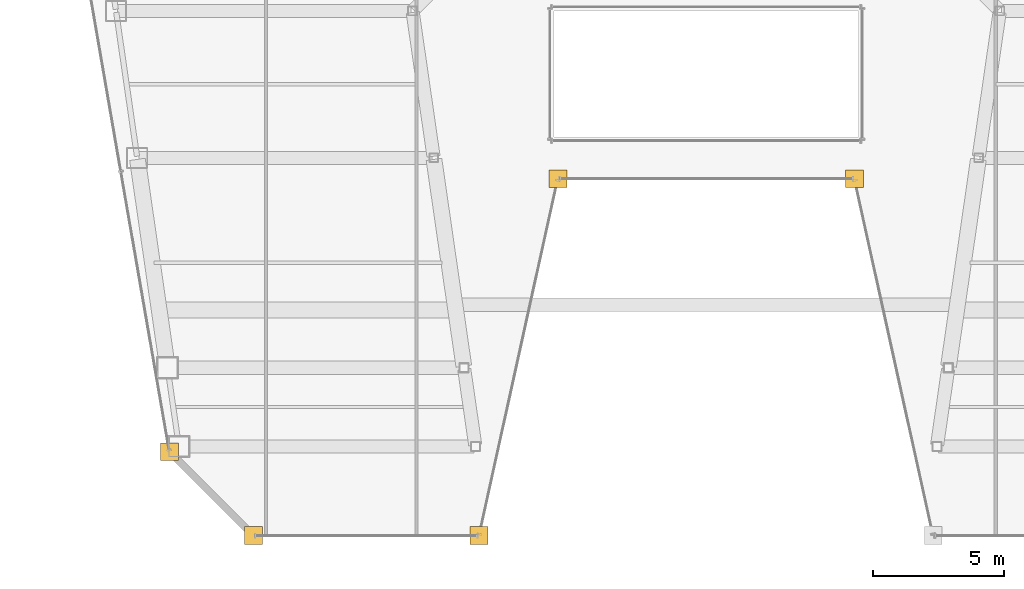
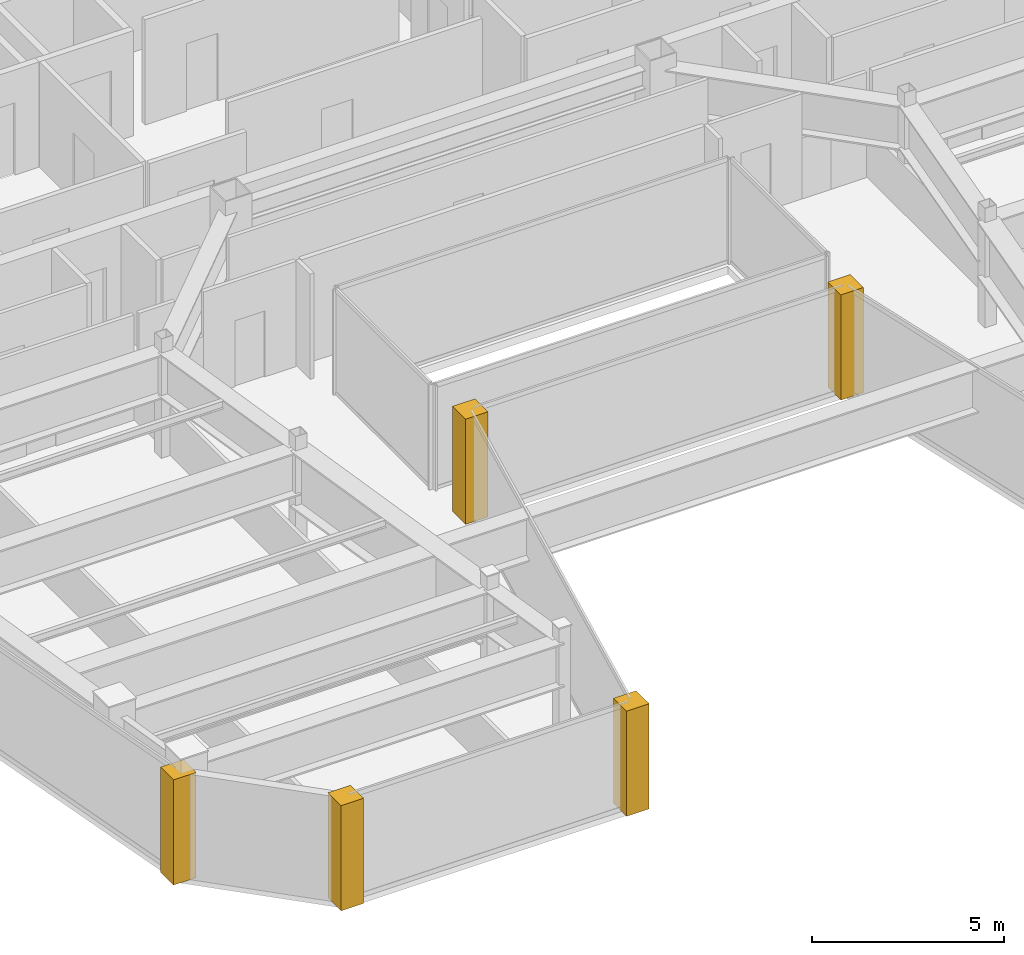
# One storey, part 32 of 35: 5 coverings.
"""IFC4 building model written with IfcOpenShell, lengths in metres."""

from ifc_helpers import new_model, si_unit, direction, frame, origin, place, context, subcontext, project, spatial, polyline, outline, extrude, material, layer, layer_set, type_object, element, save


model = new_model("IFC4")

# Units and contexts
model_context = context("Model", 3, precision=1e-05, world=origin(), true_north=direction((0.0, 1.0)))
body_context = subcontext(model_context, "Body", "Model", "MODEL_VIEW")
ifc_project = project(units=[si_unit("LENGTHUNIT", "METRE"), si_unit("AREAUNIT", "SQUARE_METRE"), si_unit("VOLUMEUNIT", "CUBIC_METRE"), si_unit("PLANEANGLEUNIT", "RADIAN"), si_unit("MASSUNIT", "GRAM", prefix="KILO")], contexts=[model_context])

# Site, building, storey
site_placement = place(None, origin())
site = spatial("IfcSite", under=ifc_project, at=site_placement, CompositionType="ELEMENT")
building_placement = place(site_placement, origin())
building = spatial("IfcBuilding", under=site, at=building_placement, Name="Saevonmaru Cultural Tower", CompositionType="ELEMENT")
storey_placement = place(building_placement, frame((0.0, 0.0, 249.60009765625)))
storey = spatial("IfcBuildingStorey", under=building, at=storey_placement, Name="L58", CompositionType="ELEMENT", Elevation=249.60009765625)

# Coverings
ifc_material = material(Name="Satin Bronze Anodised Aluminium", Category="aluminium")
ifc_layer = layer(ifc_material, 0.679931640625, Name="Satin Bronze Anodised Aluminium")
ifc_layer_set = layer_set([ifc_layer], Name="Satin Bronze Anodised Aluminium")
covering_type = type_object("IfcCoveringType", Name="CV-CORNER-CLAD", PredefinedType="CLADDING", material=ifc_layer_set)
covering_1_placement = place(storey_placement, origin())
element("IfcCovering", 1, at=covering_1_placement, inside=storey, type_object=covering_type, Name="L58 Tower Bronze Corner Cladding Pier 1", PredefinedType="CLADDING", context=body_context, shape_type="SweptSolid", body=[
    extrude(outline(polyline([(9.20703125, 20.4599609375), (9.886962890625, 20.4599609375), (9.886962890625, 21.139892578125), (9.20703125, 21.139892578125), (9.20703125, 20.4599609375)])), origin(), (0.0, 0.0, 1.0), 3.349853515625),
])
covering_2_placement = place(storey_placement, origin())
element("IfcCovering", 2, at=covering_2_placement, inside=storey, type_object=covering_type, Name="L58 Tower Bronze Corner Cladding Pier 2", PredefinedType="CLADDING", context=body_context, shape_type="SweptSolid", body=[
    extrude(outline(polyline([(12.406982421875, 17.260009765625), (13.0869140625, 17.260009765625), (13.0869140625, 17.93994140625), (12.406982421875, 17.93994140625), (12.406982421875, 17.260009765625)])), origin(), (0.0, 0.0, 1.0), 3.349853515625),
])
covering_3_placement = place(storey_placement, origin())
element("IfcCovering", 3, at=covering_3_placement, inside=storey, type_object=covering_type, Name="L58 Tower Bronze Corner Cladding Pier 3", PredefinedType="CLADDING", context=body_context, shape_type="SweptSolid", body=[
    extrude(outline(polyline([(21.007080078125, 17.260009765625), (21.68701171875, 17.260009765625), (21.68701171875, 17.93994140625), (21.007080078125, 17.93994140625), (21.007080078125, 17.260009765625)])), origin(), (0.0, 0.0, 1.0), 3.349853515625),
])
covering_4_placement = place(storey_placement, origin())
element("IfcCovering", 4, at=covering_4_placement, inside=storey, type_object=covering_type, Name="L58 Tower Bronze Corner Cladding Pier 4", PredefinedType="CLADDING", context=body_context, shape_type="SweptSolid", body=[
    extrude(outline(polyline([(24.007080078125, 30.860107421875), (24.68701171875, 30.860107421875), (24.68701171875, 31.5400390625), (24.007080078125, 31.5400390625), (24.007080078125, 30.860107421875)])), origin(), (0.0, 0.0, 1.0), 3.349853515625),
])
covering_5_placement = place(storey_placement, origin())
element("IfcCovering", 5, at=covering_5_placement, inside=storey, type_object=covering_type, Name="L58 Tower Bronze Corner Cladding Pier 5", PredefinedType="CLADDING", context=body_context, shape_type="SweptSolid", body=[
    extrude(outline(polyline([(35.31298828125, 30.860107421875), (35.992919921875, 30.860107421875), (35.992919921875, 31.5400390625), (35.31298828125, 31.5400390625), (35.31298828125, 30.860107421875)])), origin(), (0.0, 0.0, 1.0), 3.349853515625),
])

save(model, "model.ifc")
